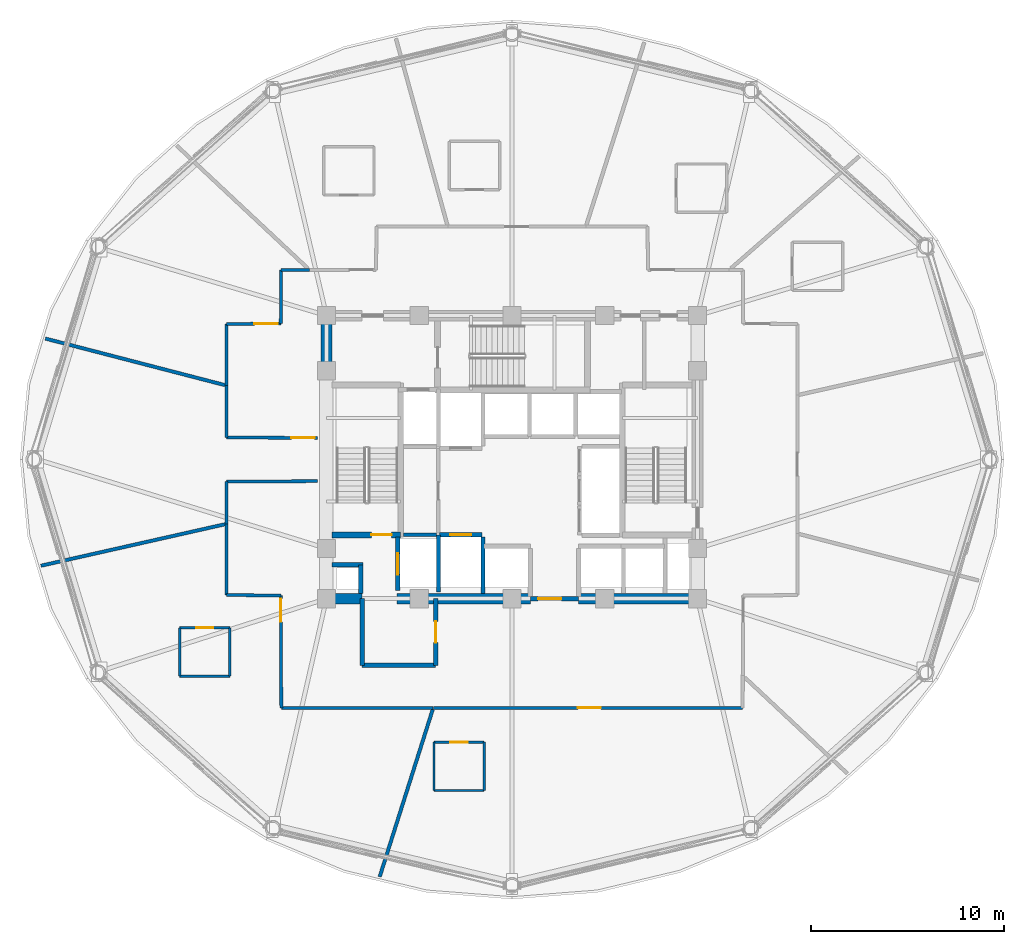
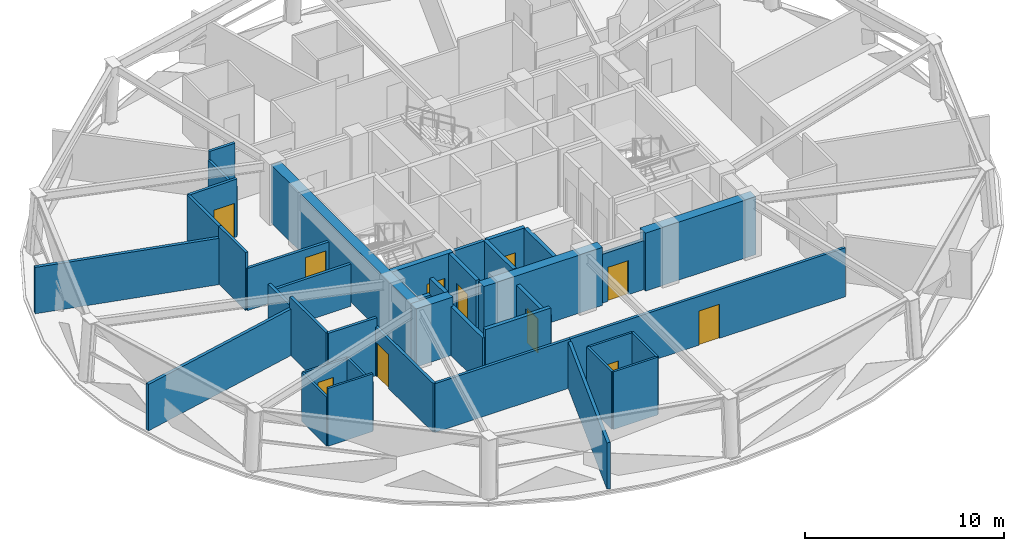
# One storey, part 5 of 12: 40 walls, 11 doors, 11 openings.
"""IFC4 building model written with IfcOpenShell, lengths in metres."""

from ifc_helpers import new_model, si_unit, direction, frame, frame_2d, origin, place, context, subcontext, project, spatial, rectangle, extrude, material, layer, layer_set, type_object, element, fill, save


model = new_model("IFC4")

# Units and contexts
model_context = context("Model", 3, precision=1e-05, world=origin(), true_north=direction((0.0, 1.0)))
body_context = subcontext(model_context, "Body", "Model", "MODEL_VIEW")
ifc_project = project(units=[si_unit("LENGTHUNIT", "METRE"), si_unit("AREAUNIT", "SQUARE_METRE"), si_unit("VOLUMEUNIT", "CUBIC_METRE"), si_unit("PLANEANGLEUNIT", "RADIAN"), si_unit("MASSUNIT", "GRAM", prefix="KILO")], contexts=[model_context])

# Site, building, storey
site_placement = place(None, origin())
site = spatial("IfcSite", under=ifc_project, at=site_placement, CompositionType="ELEMENT")
building_placement = place(site_placement, origin())
building = spatial("IfcBuilding", under=site, at=building_placement, Name="Vantalir Tower", CompositionType="ELEMENT")
storey_placement = place(building_placement, frame((0.0, 0.0, 160.949951171875)))
storey = spatial("IfcBuildingStorey", under=building, at=storey_placement, Name="L40", CompositionType="ELEMENT", Elevation=160.949951171875)

# Wall
ifc_material_1 = material(Name="Moisture-resistant en-suite partition", Category="gypsum")
ifc_layer_1 = layer(ifc_material_1, 0.125)
ifc_layer_set_1 = layer_set([ifc_layer_1], Name="Moisture-resistant en-suite partition")
wall_type_1 = type_object("IfcWallType", Name="WL-BATH-125", PredefinedType="PARTITIONING", material=ifc_layer_set_1)
wall_1_placement = place(storey_placement, frame((14.302001953125, 13.787109375, 0.0), z_axis=(0.0, 0.0, 1.0), x_axis=(1.0, 0.0, 0.0)))
element("IfcWall", 1, at=wall_1_placement, inside=storey, type_object=wall_type_1, Name="L40 En-suite 07 South Wall", PredefinedType="PARTITIONING", context=body_context, shape_type="SweptSolid", body=[
    extrude(rectangle(XDim=2.60009765625, YDim=0.125, at=frame_2d((1.300048828125, 0.0))), origin(), (0.0, 0.0, 1.0), 3.550048828125),
])

# Wall, opening, door
wall_2_placement = place(storey_placement, frame((14.302001953125, 16.287109375, 0.0), z_axis=(0.0, 0.0, 1.0), x_axis=(1.0, 0.0, 0.0)))
wall_2 = element("IfcWall", 2, at=wall_2_placement, inside=storey, type_object=wall_type_1, Name="L40 En-suite 07 North Wall", PredefinedType="PARTITIONING", context=body_context, shape_type="SweptSolid", body=[
    extrude(rectangle(XDim=2.60009765625, YDim=0.125, at=frame_2d((1.300048828125, 0.0))), origin(), (0.0, 0.0, 1.0), 3.006103515625),
])
opening_1_placement = place(wall_2_placement, frame((0.85009765625, 0.0, 0.0)))
opening_1 = element("IfcOpeningElement", 3, at=opening_1_placement, cuts=wall_2, Name="Opening D-WC", PredefinedType="OPENING", context=body_context, shape_type="SweptSolid", body=[
    extrude(rectangle(XDim=0.89990234375, YDim=2.10009765625, at=frame_2d((0.449951171875, 1.050048828125))), frame((0.0, 0.072509765625, 0.0), z_axis=(0.0, -1.0, 0.0), x_axis=(1.0, 0.0, 0.0)), (0.0, 0.0, 1.0), 0.14501953125),
])
ifc_material_2 = material(Name="Moisture-resistant hardwood door", Category="wood")
door_type_1 = type_object("IfcDoorType", Name="DR-ENSUITE-900", OperationType="NOTDEFINED", PredefinedType="DOOR", material=ifc_material_2)
door_1_placement = place(opening_1_placement, frame((0.89990234375, 0.0, 0.0), z_axis=(0.0, 0.0, 1.0), x_axis=(-1.0, 0.0, 0.0)))
door_1 = element("IfcDoor", 4, at=door_1_placement, inside=storey, type_object=door_type_1, Name="L40 En-suite 07 Door", OperationType="SINGLE_SWING_RIGHT", OverallHeight=2.10009765625, OverallWidth=0.89990234375, PredefinedType="DOOR", context=body_context, shape_type="SweptSolid", body=[
    extrude(rectangle(XDim=0.89990234375, YDim=2.10009765625, at=frame_2d((0.449951171875, 1.050048828125))), frame((0.0, 0.02490234375, 0.0), z_axis=(0.0, -1.0, 0.0), x_axis=(1.0, 0.0, 0.0)), (0.0, 0.0, 1.0), 0.050048828125),
])
fill(opening_1, door_1)

# Walls
for number, where, z_axis, x_axis, name in (
    (5, (14.302001953125, 13.787109375, 0.0), (0.0, 0.0, 1.0), (0.0, 1.0, 0.0), "L40 En-suite 07 West Wall"),
    (6, (16.902099609375, 13.787109375, 0.0), (0.0, 0.0, 1.0), (0.0, 1.0, 0.0), "L40 En-suite 07 East Wall"),
):
    element("IfcWall", number, at=place(storey_placement, frame(where, z_axis=z_axis, x_axis=x_axis)), inside=storey, type_object=wall_type_1, Name=name, PredefinedType="PARTITIONING", context=body_context, shape_type="SweptSolid", body=[
        extrude(rectangle(XDim=2.5, YDim=0.125, at=frame_2d((1.25, 0.0))), origin(), (0.0, 0.0, 1.0), 3.006103515625),
    ])
wall_3_placement = place(storey_placement, frame((27.464111328125, 7.873046875, 0.0), z_axis=(0.0, 0.0, 1.0), x_axis=(1.0, 0.0, 0.0)))
element("IfcWall", 7, at=wall_3_placement, inside=storey, type_object=wall_type_1, Name="L40 En-suite 08 South Wall", PredefinedType="PARTITIONING", context=body_context, shape_type="SweptSolid", body=[
    extrude(rectangle(XDim=2.599853515625, YDim=0.125, at=frame_2d((1.2998046875, 0.0))), origin(), (0.0, 0.0, 1.0), 3.550048828125),
])

# Wall, opening, door
wall_4_placement = place(storey_placement, frame((27.464111328125, 10.373046875, 0.0), z_axis=(0.0, 0.0, 1.0), x_axis=(1.0, 0.0, 0.0)))
wall_4 = element("IfcWall", 8, at=wall_4_placement, inside=storey, type_object=wall_type_1, Name="L40 En-suite 08 North Wall", PredefinedType="PARTITIONING", context=body_context, shape_type="SweptSolid", body=[
    extrude(rectangle(XDim=2.599853515625, YDim=0.125, at=frame_2d((1.2998046875, 0.0))), origin(), (0.0, 0.0, 1.0), 3.550048828125),
])
opening_2_placement = place(wall_4_placement, frame((0.85009765625, 0.0, 0.0)))
opening_2 = element("IfcOpeningElement", 9, at=opening_2_placement, cuts=wall_4, Name="Opening D-WC", PredefinedType="OPENING", context=body_context, shape_type="SweptSolid", body=[
    extrude(rectangle(XDim=0.89990234375, YDim=2.10009765625, at=frame_2d((0.449951171875, 1.050048828125))), frame((0.0, 0.072509765625, 0.0), z_axis=(0.0, -1.0, 0.0), x_axis=(1.0, 0.0, 0.0)), (0.0, 0.0, 1.0), 0.14501953125),
])
door_2_placement = place(opening_2_placement, frame((0.89990234375, 0.0, 0.0), z_axis=(0.0, 0.0, 1.0), x_axis=(-1.0, 0.0, 0.0)))
door_2 = element("IfcDoor", 10, at=door_2_placement, inside=storey, type_object=door_type_1, Name="L40 En-suite 08 Door", OperationType="SINGLE_SWING_LEFT", OverallHeight=2.10009765625, OverallWidth=0.89990234375, PredefinedType="DOOR", context=body_context, shape_type="SweptSolid", body=[
    extrude(rectangle(XDim=0.89990234375, YDim=2.10009765625, at=frame_2d((0.449951171875, 1.050048828125))), frame((0.0, 0.02490234375, 0.0), z_axis=(0.0, -1.0, 0.0), x_axis=(1.0, 0.0, 0.0)), (0.0, 0.0, 1.0), 0.050048828125),
])
fill(opening_2, door_2)

# Walls
for number, where, z_axis, x_axis, name in (
    (11, (27.464111328125, 7.873046875, 0.0), (0.0, 0.0, 1.0), (0.0, 1.0, 0.0), "L40 En-suite 08 West Wall"),
    (12, (30.06396484375, 7.873046875, 0.0), (0.0, 0.0, 1.0), (0.0, 1.0, 0.0), "L40 En-suite 08 East Wall"),
):
    element("IfcWall", number, at=place(storey_placement, frame(where, z_axis=z_axis, x_axis=x_axis)), inside=storey, type_object=wall_type_1, Name=name, PredefinedType="PARTITIONING", context=body_context, shape_type="SweptSolid", body=[
        extrude(rectangle(XDim=2.5, YDim=0.125, at=frame_2d((1.25, 0.0))), origin(), (0.0, 0.0, 1.0), 3.550048828125),
    ])
ifc_material_3 = material(Name="Concrete C60/75", Category="concrete")
ifc_layer_2 = layer(ifc_material_3, 0.550048828125)
ifc_layer_set_2 = layer_set([ifc_layer_2], Name="Concrete C60/75")
wall_type_2 = type_object("IfcWallType", Name="WL-CORE-550", PredefinedType="SHEAR", material=ifc_layer_set_2)
wall_5_placement = place(storey_placement, frame((21.625, 17.800048828125, 0.0), z_axis=(0.0, 0.0, 1.0), x_axis=(1.0, 0.0, 0.0)))
element("IfcWall", 13, at=wall_5_placement, inside=storey, type_object=wall_type_2, Name="L40 Core Shear Wall South-West", PredefinedType="SHEAR", context=body_context, shape_type="SweptSolid", body=[
    extrude(rectangle(XDim=2.125, YDim=0.550048828125, at=frame_2d((1.0625, 0.0))), origin(), (0.0, 0.0, 1.0), 3.570068359375),
])
wall_6_placement = place(storey_placement, frame((25.550048828125, 17.800048828125, 0.0), z_axis=(0.0, 0.0, 1.0), x_axis=(1.0, 0.0, 0.0)))
element("IfcWall", 14, at=wall_6_placement, inside=storey, type_object=wall_type_2, Name="L40 Core Shear Wall South-Mid", PredefinedType="SHEAR", context=body_context, shape_type="SweptSolid", body=[
    extrude(rectangle(XDim=6.89990234375, YDim=0.550048828125, at=frame_2d((3.449951171875, 0.0))), origin(), (0.0, 0.0, 1.0), 3.570068359375),
])
wall_7_placement = place(storey_placement, frame((34.949951171875, 17.800048828125, 0.0), z_axis=(0.0, 0.0, 1.0), x_axis=(1.0, 0.0, 0.0)))
element("IfcWall", 15, at=wall_7_placement, inside=storey, type_object=wall_type_2, Name="L40 Core Shear Wall South-East", PredefinedType="SHEAR", context=body_context, shape_type="SweptSolid", body=[
    extrude(rectangle(XDim=6.425048828125, YDim=0.550048828125, at=frame_2d((3.21240234375, 0.0))), origin(), (0.0, 0.0, 1.0), 3.570068359375),
])
wall_8_placement = place(storey_placement, frame((21.89990234375, 18.074951171875, 0.0), z_axis=(0.0, 0.0, 1.0), x_axis=(0.0, 1.0, 0.0)))
element("IfcWall", 16, at=wall_8_placement, inside=storey, type_object=wall_type_2, Name="L40 Core Shear Wall West", PredefinedType="SHEAR", context=body_context, shape_type="SweptSolid", body=[
    extrude(rectangle(XDim=14.10009765625, YDim=0.550048828125, at=frame_2d((7.050048828125, 0.0))), origin(), (0.0, 0.0, 1.0), 3.570068359375),
])

# Wall, opening, door
ifc_material_4 = material(Name="Fire-rated hotel corridor acoustic partition", Category="gypsum")
ifc_layer_3 = layer(ifc_material_4, 0.159912109375)
ifc_layer_set_3 = layer_set([ifc_layer_3], Name="Fire-rated hotel corridor acoustic partition")
wall_type_3 = type_object("IfcWallType", Name="WL-CORR-160", PredefinedType="PARTITIONING", material=ifc_layer_set_3)
wall_9_placement = place(storey_placement, frame((21.445068359375, 26.115966796875, 0.0), z_axis=(0.0, 0.0, 1.0), x_axis=(-0.999984646479, 0.005541372271, 0.0)))
wall_9 = element("IfcWall", 17, at=wall_9_placement, inside=storey, type_object=wall_type_3, Name="L40 Corridor Partition 01", PredefinedType="PARTITIONING", context=body_context, shape_type="SweptSolid", body=[
    extrude(rectangle(XDim=4.714111328125, YDim=0.159912109375, at=frame_2d((2.35693359375, 0.0))), origin(), (0.0, 0.0, 1.0), 2.594970703125),
])
opening_3_placement = place(wall_9_placement, frame((0.159912109375, 0.0, 0.0)))
opening_3 = element("IfcOpeningElement", 18, at=opening_3_placement, cuts=wall_9, Name="Opening D-STE", PredefinedType="OPENING", context=body_context, shape_type="SweptSolid", body=[
    extrude(rectangle(XDim=1.199951171875, YDim=2.10009765625, at=frame_2d((0.60009765625, 1.050048828125))), frame((0.0, 0.08984375, 0.0), z_axis=(0.0, -1.0, 0.0), x_axis=(1.0, 0.0, 0.0)), (0.0, 0.0, 1.0), 0.179931640625),
])
ifc_material_5 = material(Name="Solid-core teak veneer suite entrance door", Category="wood")
door_type_2 = type_object("IfcDoorType", Name="DR-SUITE-ENTRY-1200", OperationType="NOTDEFINED", PredefinedType="DOOR", material=ifc_material_5)
door_3_placement = place(opening_3_placement, origin())
door_3 = element("IfcDoor", 19, at=door_3_placement, inside=storey, type_object=door_type_2, Name="L40 Executive Sky Boardroom 06 Door", OperationType="SINGLE_SWING_LEFT", OverallHeight=2.10009765625, OverallWidth=1.199951171875, PredefinedType="DOOR", context=body_context, shape_type="SweptSolid", body=[
    extrude(rectangle(XDim=1.199951171875, YDim=2.10009765625, at=frame_2d((0.60009765625, 1.050048828125))), frame((0.0, 0.02490234375, 0.0), z_axis=(0.0, -1.0, 0.0), x_axis=(1.0, 0.0, 0.0)), (0.0, 0.0, 1.0), 0.050048828125),
])
fill(opening_3, door_3)

# Walls
wall_10_placement = place(storey_placement, frame((16.73095703125, 26.14208984375, 0.0), z_axis=(0.0, 0.0, 1.0), x_axis=(0.0, 1.0, 0.0)))
element("IfcWall", 20, at=wall_10_placement, inside=storey, type_object=wall_type_3, Name="L40 Corridor Partition 02", PredefinedType="PARTITIONING", context=body_context, shape_type="SweptSolid", body=[
    extrude(rectangle(XDim=2.68798828125, YDim=0.159912109375, at=frame_2d((1.343994140625, 0.0))), origin(), (0.0, 0.0, 1.0), 3.550048828125),
])
wall_11_placement = place(storey_placement, frame((16.73095703125, 28.830078125, 0.0), z_axis=(0.0, 0.0, 1.0), x_axis=(0.000306913206, 0.999999952902, 0.0)))
element("IfcWall", 21, at=wall_11_placement, inside=storey, type_object=wall_type_3, Name="L40 Corridor Partition 03", PredefinedType="PARTITIONING", context=body_context, shape_type="SweptSolid", body=[
    extrude(rectangle(XDim=3.181884765625, YDim=0.159912109375, at=frame_2d((1.5908203125, 0.0))), origin(), (0.0, 0.0, 1.0), 3.550048828125),
])

# Wall, opening, door
wall_12_placement = place(storey_placement, frame((16.73193359375, 32.011962890625, 0.0), z_axis=(0.0, 0.0, 1.0), x_axis=(0.999949838147, 0.010016046632, 0.0)))
wall_12 = element("IfcWall", 22, at=wall_12_placement, inside=storey, type_object=wall_type_3, Name="L40 Corridor Partition 04", PredefinedType="PARTITIONING", context=body_context, shape_type="SweptSolid", body=[
    extrude(rectangle(XDim=2.80322265625, YDim=0.159912109375, at=frame_2d((1.401611328125, 0.0))), origin(), (0.0, 0.0, 1.0), 3.550048828125),
])
opening_4_placement = place(wall_12_placement, frame((1.443115234375, 0.0, 0.0)))
opening_4 = element("IfcOpeningElement", 23, at=opening_4_placement, cuts=wall_12, Name="Opening D-STE", PredefinedType="OPENING", context=body_context, shape_type="SweptSolid", body=[
    extrude(rectangle(XDim=1.199951171875, YDim=2.10009765625, at=frame_2d((0.60009765625, 1.050048828125))), frame((0.0, 0.08984375, 0.0), z_axis=(0.0, -1.0, 0.0), x_axis=(1.0, 0.0, 0.0)), (0.0, 0.0, 1.0), 0.179931640625),
])
door_4_placement = place(opening_4_placement, origin())
door_4 = element("IfcDoor", 24, at=door_4_placement, inside=storey, type_object=door_type_2, Name="L40 Executive Sky Boardroom 05 Door", OperationType="SINGLE_SWING_RIGHT", OverallHeight=2.10009765625, OverallWidth=1.199951171875, PredefinedType="DOOR", context=body_context, shape_type="SweptSolid", body=[
    extrude(rectangle(XDim=1.199951171875, YDim=2.10009765625, at=frame_2d((0.60009765625, 1.050048828125))), frame((0.0, 0.02490234375, 0.0), z_axis=(0.0, -1.0, 0.0), x_axis=(1.0, 0.0, 0.0)), (0.0, 0.0, 1.0), 0.050048828125),
])
fill(opening_4, door_4)

# Walls
wall_13_placement = place(storey_placement, frame((19.534912109375, 32.0400390625, 0.0), z_axis=(0.0, 0.0, 1.0), x_axis=(0.006526585281, 0.999978701615, 0.0)))
element("IfcWall", 25, at=wall_13_placement, inside=storey, type_object=wall_type_3, Name="L40 Corridor Partition 05", PredefinedType="PARTITIONING", context=body_context, shape_type="SweptSolid", body=[
    extrude(rectangle(XDim=2.76806640625, YDim=0.159912109375, at=frame_2d((1.384033203125, 0.0))), origin(), (0.0, 0.0, 1.0), 3.006103515625),
])
wall_14_placement = place(storey_placement, frame((19.552978515625, 34.80810546875, 0.0), z_axis=(0.0, 0.0, 1.0), x_axis=(0.999999117302, 0.00132868177, 0.0)))
element("IfcWall", 26, at=wall_14_placement, inside=storey, type_object=wall_type_3, Name="L40 Corridor Partition 06", PredefinedType="PARTITIONING", context=body_context, shape_type="SweptSolid", body=[
    extrude(rectangle(XDim=1.469970703125, YDim=0.159912109375, at=frame_2d((0.73486328125, 0.0))), origin(), (0.0, 0.0, 1.0), 3.550048828125),
])

# Wall, opening, door
wall_15_placement = place(storey_placement, frame((43.43310546875, 12.15087890625, 0.0), z_axis=(0.0, 0.0, 1.0), x_axis=(-1.0, 0.0, 0.0)))
wall_15 = element("IfcWall", 27, at=wall_15_placement, inside=storey, type_object=wall_type_3, Name="L40 Corridor Partition 23", PredefinedType="PARTITIONING", context=body_context, shape_type="SweptSolid", body=[
    extrude(rectangle(XDim=16.008056640625, YDim=0.159912109375, at=frame_2d((8.00390625, 0.0))), origin(), (0.0, 0.0, 1.0), 3.006103515625),
])
opening_5_placement = place(wall_15_placement, frame((7.3291015625, 0.0, 0.0)))
opening_5 = element("IfcOpeningElement", 28, at=opening_5_placement, cuts=wall_15, Name="Opening D-STE", PredefinedType="OPENING", context=body_context, shape_type="SweptSolid", body=[
    extrude(rectangle(XDim=1.199951171875, YDim=2.10009765625, at=frame_2d((0.60009765625, 1.050048828125))), frame((0.0, 0.08984375, 0.0), z_axis=(0.0, -1.0, 0.0), x_axis=(1.0, 0.0, 0.0)), (0.0, 0.0, 1.0), 0.179931640625),
])
door_5_placement = place(opening_5_placement, origin())
door_5 = element("IfcDoor", 29, at=door_5_placement, inside=storey, type_object=door_type_2, Name="L40 Corner Panorama Hotel Suite 08 Door", OperationType="SINGLE_SWING_LEFT", OverallHeight=2.10009765625, OverallWidth=1.199951171875, PredefinedType="DOOR", context=body_context, shape_type="SweptSolid", body=[
    extrude(rectangle(XDim=1.199951171875, YDim=2.10009765625, at=frame_2d((0.60009765625, 1.050048828125))), frame((0.0, 0.02490234375, 0.0), z_axis=(0.0, -1.0, 0.0), x_axis=(1.0, 0.0, 0.0)), (0.0, 0.0, 1.0), 0.050048828125),
])
fill(opening_5, door_5)

# Wall
wall_16_placement = place(storey_placement, frame((27.425048828125, 12.15087890625, 0.0), z_axis=(0.0, 0.0, 1.0), x_axis=(-0.999999987946, 0.000155265036, 0.0)))
element("IfcWall", 30, at=wall_16_placement, inside=storey, type_object=wall_type_3, Name="L40 Corridor Partition 24", PredefinedType="PARTITIONING", context=body_context, shape_type="SweptSolid", body=[
    extrude(rectangle(XDim=7.862060546875, YDim=0.159912109375, at=frame_2d((3.93115234375, 0.0))), origin(), (0.0, 0.0, 1.0), 3.006103515625),
])

# Wall, opening, door
wall_17_placement = place(storey_placement, frame((19.56298828125, 12.152099609375, 0.0), z_axis=(0.0, 0.0, 1.0), x_axis=(-0.004834110568, 0.999988315619, 0.0)))
wall_17 = element("IfcWall", 31, at=wall_17_placement, inside=storey, type_object=wall_type_3, Name="L40 Corridor Partition 25", PredefinedType="PARTITIONING", context=body_context, shape_type="SweptSolid", body=[
    extrude(rectangle(XDim=5.807861328125, YDim=0.159912109375, at=frame_2d((2.90380859375, 0.0))), origin(), (0.0, 0.0, 1.0), 3.006103515625),
])
opening_6_placement = place(wall_17_placement, frame((4.447998046875, 0.0, 0.0)))
opening_6 = element("IfcOpeningElement", 32, at=opening_6_placement, cuts=wall_17, Name="Opening D-STE", PredefinedType="OPENING", context=body_context, shape_type="SweptSolid", body=[
    extrude(rectangle(XDim=1.199951171875, YDim=2.10009765625, at=frame_2d((0.60009765625, 1.050048828125))), frame((0.0, 0.08984375, 0.0), z_axis=(0.0, -1.0, 0.0), x_axis=(1.0, 0.0, 0.0)), (0.0, 0.0, 1.0), 0.179931640625),
])
door_6_placement = place(opening_6_placement, origin())
door_6 = element("IfcDoor", 33, at=door_6_placement, inside=storey, type_object=door_type_2, Name="L40 Executive Club Hotel Suite 07 Door", OperationType="SINGLE_SWING_RIGHT", OverallHeight=2.10009765625, OverallWidth=1.199951171875, PredefinedType="DOOR", context=body_context, shape_type="SweptSolid", body=[
    extrude(rectangle(XDim=1.199951171875, YDim=2.10009765625, at=frame_2d((0.60009765625, 1.050048828125))), frame((0.0, 0.02490234375, 0.0), z_axis=(0.0, -1.0, 0.0), x_axis=(1.0, 0.0, 0.0)), (0.0, 0.0, 1.0), 0.050048828125),
])
fill(opening_6, door_6)

# Walls
wall_18_placement = place(storey_placement, frame((19.534912109375, 17.9599609375, 0.0), z_axis=(0.0, 0.0, 1.0), x_axis=(-0.999934955853, 0.011405440071, 0.0)))
element("IfcWall", 34, at=wall_18_placement, inside=storey, type_object=wall_type_3, Name="L40 Corridor Partition 26", PredefinedType="PARTITIONING", context=body_context, shape_type="SweptSolid", body=[
    extrude(rectangle(XDim=2.80419921875, YDim=0.159912109375, at=frame_2d((1.402099609375, 0.0))), origin(), (0.0, 0.0, 1.0), 3.550048828125),
])
wall_19_placement = place(storey_placement, frame((16.73095703125, 17.991943359375, 0.0), z_axis=(0.0, 0.0, 1.0), x_axis=(-0.000265516088, 0.999999964751, 0.0)))
element("IfcWall", 35, at=wall_19_placement, inside=storey, type_object=wall_type_3, Name="L40 Corridor Partition 27", PredefinedType="PARTITIONING", context=body_context, shape_type="SweptSolid", body=[
    extrude(rectangle(XDim=3.677978515625, YDim=0.159912109375, at=frame_2d((1.8388671875, 0.0))), origin(), (0.0, 0.0, 1.0), 3.550048828125),
])
wall_20_placement = place(storey_placement, frame((16.72998046875, 21.669921875, 0.0), z_axis=(0.0, 0.0, 1.0), x_axis=(0.0, 1.0, 0.0)))
element("IfcWall", 36, at=wall_20_placement, inside=storey, type_object=wall_type_3, Name="L40 Corridor Partition 28", PredefinedType="PARTITIONING", context=body_context, shape_type="SweptSolid", body=[
    extrude(rectangle(XDim=2.18408203125, YDim=0.159912109375, at=frame_2d((1.092041015625, 0.0))), origin(), (0.0, 0.0, 1.0), 3.006103515625),
])
wall_21_placement = place(storey_placement, frame((16.72998046875, 23.85400390625, 0.0), z_axis=(0.0, 0.0, 1.0), x_axis=(0.999981017558, 0.00616153581, 0.0)))
element("IfcWall", 37, at=wall_21_placement, inside=storey, type_object=wall_type_3, Name="L40 Corridor Partition 29", PredefinedType="PARTITIONING", context=body_context, shape_type="SweptSolid", body=[
    extrude(rectangle(XDim=4.715087890625, YDim=0.159912109375, at=frame_2d((2.357421875, 0.0))), origin(), (0.0, 0.0, 1.0), 2.594970703125),
])
ifc_material_6 = material(Name="Concrete blockwork with fireboard lining", Category="masonry")
ifc_layer_4 = layer(ifc_material_6, 0.219970703125)
ifc_layer_set_4 = layer_set([ifc_layer_4], Name="Concrete blockwork with fireboard lining")
wall_type_4 = type_object("IfcWallType", Name="WL-FFL-220", PredefinedType="PARTITIONING", material=ifc_layer_set_4)
wall_22_placement = place(storey_placement, frame((30.0, 18.080078125, 0.0), z_axis=(0.0, 0.0, 1.0), x_axis=(0.0, 1.0, 0.0)))
element("IfcWall", 38, at=wall_22_placement, inside=storey, type_object=wall_type_4, Name="L40 Service Lift SV1 East Shaft Wall", PredefinedType="PARTITIONING", context=body_context, shape_type="SweptSolid", body=[
    extrude(rectangle(XDim=2.89990234375, YDim=0.219970703125, at=frame_2d((1.449951171875, 0.0))), origin(), (0.0, 0.0, 1.0), 3.545166015625),
])

# Wall, opening, door
wall_23_placement = place(storey_placement, frame((32.449951171875, 17.800048828125, 0.0), z_axis=(0.0, 0.0, 1.0), x_axis=(1.0, 0.0, 0.0)))
wall_23 = element("IfcWall", 39, at=wall_23_placement, inside=storey, type_object=wall_type_4, Name="L40 Passenger Lift Lobby South Wall", PredefinedType="PARTITIONING", context=body_context, shape_type="SweptSolid", body=[
    extrude(rectangle(XDim=2.5, YDim=0.219970703125, at=frame_2d((1.25, 0.0))), origin(), (0.0, 0.0, 1.0), 3.006103515625),
])
opening_7_placement = place(wall_23_placement, frame((0.39990234375, 0.0, 0.0)))
opening_7 = element("IfcOpeningElement", 40, at=opening_7_placement, cuts=wall_23, Name="Opening D-STE", PredefinedType="OPENING", context=body_context, shape_type="SweptSolid", body=[
    extrude(rectangle(XDim=1.199951171875, YDim=2.10009765625, at=frame_2d((0.60009765625, 1.050048828125))), frame((0.0, 0.119873046875, 0.0), z_axis=(0.0, -1.0, 0.0), x_axis=(1.0, 0.0, 0.0)), (0.0, 0.0, 1.0), 0.239990234375),
])
door_7_placement = place(opening_7_placement, origin())
door_7 = element("IfcDoor", 41, at=door_7_placement, inside=storey, type_object=door_type_2, Name="L40 Passenger Lift Lobby Concourse Door", OperationType="SINGLE_SWING_LEFT", OverallHeight=2.10009765625, OverallWidth=1.199951171875, PredefinedType="DOOR", context=body_context, shape_type="SweptSolid", body=[
    extrude(rectangle(XDim=1.199951171875, YDim=2.10009765625, at=frame_2d((0.60009765625, 1.050048828125))), frame((0.0, 0.02490234375, 0.0), z_axis=(0.0, -1.0, 0.0), x_axis=(1.0, 0.0, 0.0)), (0.0, 0.0, 1.0), 0.050048828125),
])
fill(opening_7, door_7)

# Walls
wall_24_placement = place(storey_placement, frame((23.679931640625, 18.074951171875, 0.0), z_axis=(0.0, 0.0, 1.0), x_axis=(0.0, 1.0, 0.0)))
element("IfcWall", 42, at=wall_24_placement, inside=storey, type_object=wall_type_4, Name="L40 West MEP Riser Wall E", PredefinedType="PARTITIONING", context=body_context, shape_type="SweptSolid", body=[
    extrude(rectangle(XDim=1.47509765625, YDim=0.219970703125, at=frame_2d((0.737548828125, 0.0))), origin(), (0.0, 0.0, 1.0), 3.550048828125),
])
wall_25_placement = place(storey_placement, frame((22.175048828125, 19.550048828125, 0.0), z_axis=(0.0, 0.0, 1.0), x_axis=(1.0, 0.0, 0.0)))
element("IfcWall", 43, at=wall_25_placement, inside=storey, type_object=wall_type_4, Name="L40 West MEP Riser Wall N", PredefinedType="PARTITIONING", context=body_context, shape_type="SweptSolid", body=[
    extrude(rectangle(XDim=1.614990234375, YDim=0.219970703125, at=frame_2d((0.8076171875, 0.0))), origin(), (0.0, 0.0, 1.0), 2.594970703125),
])

# Wall, opening, door
wall_26_placement = place(storey_placement, frame((25.590087890625, 18.219970703125, 0.0), z_axis=(0.0, 0.0, 1.0), x_axis=(0.0, 1.0, 0.0)))
wall_26 = element("IfcWall", 44, at=wall_26_placement, inside=storey, type_object=wall_type_4, Name="L40 Lift FL1 Shaft Front Wall", PredefinedType="PARTITIONING", context=body_context, shape_type="SweptSolid", body=[
    extrude(rectangle(XDim=2.760009765625, YDim=0.219970703125, at=frame_2d((1.3798828125, 0.0))), origin(), (0.0, 0.0, 1.0), 3.550048828125),
])
opening_8_placement = place(wall_26_placement, frame((0.830078125, 0.0, 0.0)))
opening_8 = element("IfcOpeningElement", 45, at=opening_8_placement, cuts=wall_26, Name="Opening LD-FL1", PredefinedType="OPENING", context=body_context, shape_type="SweptSolid", body=[
    extrude(rectangle(XDim=1.10009765625, YDim=2.199951171875, at=frame_2d((0.550048828125, 1.10009765625))), frame((0.0, 0.119873046875, 0.0), z_axis=(0.0, -1.0, 0.0), x_axis=(1.0, 0.0, 0.0)), (0.0, 0.0, 1.0), 0.239990234375),
])
ifc_material_7 = material(Name="Brushed stainless-steel sliding lift landing door", Category="steel")
door_type_3 = type_object("IfcDoorType", Name="DR-LIFT-LANDING-1100", OperationType="DOUBLE_DOOR_SLIDING", PredefinedType="DOOR", material=ifc_material_7)
door_8_placement = place(opening_8_placement, origin())
door_8 = element("IfcDoor", 46, at=door_8_placement, inside=storey, type_object=door_type_3, Name="L40 Lift Landing Door FL1", OperationType="DOUBLE_DOOR_SLIDING", OverallHeight=2.199951171875, OverallWidth=1.10009765625, PredefinedType="DOOR", context=body_context, shape_type="SweptSolid", body=[
    extrude(rectangle(XDim=1.10009765625, YDim=2.199951171875, at=frame_2d((0.550048828125, 1.10009765625))), frame((0.0, 0.02490234375, 0.0), z_axis=(0.0, -1.0, 0.0), x_axis=(1.0, 0.0, 0.0)), (0.0, 0.0, 1.0), 0.050048828125),
])
fill(opening_8, door_8)

wall_27_placement = place(storey_placement, frame((27.739990234375, 21.110107421875, 0.0), z_axis=(0.0, 0.0, 1.0), x_axis=(1.0, 0.0, 0.0)))
wall_27 = element("IfcWall", 47, at=wall_27_placement, inside=storey, type_object=wall_type_4, Name="L40 Lift SV1 Shaft Front Wall", PredefinedType="PARTITIONING", context=body_context, shape_type="SweptSolid", body=[
    extrude(rectangle(XDim=2.219970703125, YDim=0.219970703125, at=frame_2d((1.10986328125, 0.0))), origin(), (0.0, 0.0, 1.0), 3.550048828125),
])
opening_9_placement = place(wall_27_placement, frame((0.56005859375, 0.0, 0.0)))
opening_9 = element("IfcOpeningElement", 48, at=opening_9_placement, cuts=wall_27, Name="Opening LD-SV1", PredefinedType="OPENING", context=body_context, shape_type="SweptSolid", body=[
    extrude(rectangle(XDim=1.10009765625, YDim=2.199951171875, at=frame_2d((0.550048828125, 1.10009765625))), frame((0.0, 0.119873046875, 0.0), z_axis=(0.0, -1.0, 0.0), x_axis=(1.0, 0.0, 0.0)), (0.0, 0.0, 1.0), 0.239990234375),
])
door_9_placement = place(opening_9_placement, origin())
door_9 = element("IfcDoor", 49, at=door_9_placement, inside=storey, type_object=door_type_3, Name="L40 Lift Landing Door SV1", OperationType="DOUBLE_DOOR_SLIDING", OverallHeight=2.199951171875, OverallWidth=1.10009765625, PredefinedType="DOOR", context=body_context, shape_type="SweptSolid", body=[
    extrude(rectangle(XDim=1.10009765625, YDim=2.199951171875, at=frame_2d((0.550048828125, 1.10009765625))), frame((0.0, 0.02490234375, 0.0), z_axis=(0.0, -1.0, 0.0), x_axis=(1.0, 0.0, 0.0)), (0.0, 0.0, 1.0), 0.050048828125),
])
fill(opening_9, door_9)

# Walls
wall_28_placement = place(storey_placement, frame((27.699951171875, 18.14990234375, 0.0), z_axis=(0.0, 0.0, 1.0), x_axis=(0.0, 1.0, 0.0)))
element("IfcWall", 50, at=wall_28_placement, inside=storey, type_object=wall_type_4, Name="L40 Fire Lift FL1 Dividing Wall", PredefinedType="PARTITIONING", context=body_context, shape_type="SweptSolid", body=[
    extrude(rectangle(XDim=2.9501953125, YDim=0.219970703125, at=frame_2d((1.47509765625, 0.0))), origin(), (0.0, 0.0, 1.0), 3.550048828125),
])
wall_29_placement = place(storey_placement, frame((23.75, 14.35009765625, 0.0), z_axis=(0.0, 0.0, 1.0), x_axis=(0.0, 1.0, 0.0)))
element("IfcWall", 51, at=wall_29_placement, inside=storey, type_object=wall_type_4, Name="L40 Firefighting Lobby West Outer W", PredefinedType="PARTITIONING", context=body_context, shape_type="SweptSolid", body=[
    extrude(rectangle(XDim=3.449951171875, YDim=0.219970703125, at=frame_2d((1.72509765625, 0.0))), origin(), (0.0, 0.0, 1.0), 3.006103515625),
])
wall_30_placement = place(storey_placement, frame((23.75, 14.35009765625, 0.0), z_axis=(0.0, 0.0, 1.0), x_axis=(1.0, 0.0, 0.0)))
element("IfcWall", 52, at=wall_30_placement, inside=storey, type_object=wall_type_4, Name="L40 Firefighting Lobby West South Wall", PredefinedType="PARTITIONING", context=body_context, shape_type="SweptSolid", body=[
    extrude(rectangle(XDim=3.800048828125, YDim=0.219970703125, at=frame_2d((1.89990234375, 0.0))), origin(), (0.0, 0.0, 1.0), 3.550048828125),
])

# Wall, opening, door
wall_31_placement = place(storey_placement, frame((27.550048828125, 14.35009765625, 0.0), z_axis=(0.0, 0.0, 1.0), x_axis=(0.0, 1.0, 0.0)))
wall_31 = element("IfcWall", 53, at=wall_31_placement, inside=storey, type_object=wall_type_4, Name="L40 Firefighting Lobby West East Wall", PredefinedType="PARTITIONING", context=body_context, shape_type="SweptSolid", body=[
    extrude(rectangle(XDim=3.449951171875, YDim=0.219970703125, at=frame_2d((1.72509765625, 0.0))), origin(), (0.0, 0.0, 1.0), 3.006103515625),
])
opening_10_placement = place(wall_31_placement, frame((1.175048828125, 0.0, 0.0)))
opening_10 = element("IfcOpeningElement", 54, at=opening_10_placement, cuts=wall_31, Name="Opening D-FFL", PredefinedType="OPENING", context=body_context, shape_type="SweptSolid", body=[
    extrude(rectangle(XDim=1.10009765625, YDim=2.10009765625, at=frame_2d((0.550048828125, 1.050048828125))), frame((0.0, 0.119873046875, 0.0), z_axis=(0.0, -1.0, 0.0), x_axis=(1.0, 0.0, 0.0)), (0.0, 0.0, 1.0), 0.239990234375),
])
ifc_material_8 = material(Name="Fire-rated acoustic steel door", Category="steel")
door_type_4 = type_object("IfcDoorType", Name="DR-FIRE-LOBBY-1100", OperationType="NOTDEFINED", PredefinedType="DOOR", material=ifc_material_8)
door_10_placement = place(opening_10_placement, origin())
door_10 = element("IfcDoor", 55, at=door_10_placement, inside=storey, type_object=door_type_4, Name="L40 Firefighting Lobby West Access Door", OperationType="SINGLE_SWING_LEFT", OverallHeight=2.10009765625, OverallWidth=1.10009765625, PredefinedType="DOOR", context=body_context, shape_type="SweptSolid", body=[
    extrude(rectangle(XDim=1.10009765625, YDim=2.10009765625, at=frame_2d((0.550048828125, 1.050048828125))), frame((0.0, 0.02490234375, 0.0), z_axis=(0.0, -1.0, 0.0), x_axis=(1.0, 0.0, 0.0)), (0.0, 0.0, 1.0), 0.050048828125),
])
fill(opening_10, door_10)

# Walls
ifc_material_9 = material(Name="Twin-stud acoustic fire-rated gypsum partition", Category="gypsum")
ifc_layer_5 = layer(ifc_material_9, 0.179931640625)
ifc_layer_set_5 = layer_set([ifc_layer_5], Name="Twin-stud acoustic fire-rated gypsum partition")
wall_type_5 = type_object("IfcWallType", Name="WL-GUEST-180", PredefinedType="PARTITIONING", material=ifc_layer_set_5)
wall_32_placement = place(storey_placement, frame((25.889892578125, 21.10009765625, 0.0), z_axis=(0.0, 0.0, 1.0), x_axis=(1.0, 0.0, 0.0)))
element("IfcWall", 56, at=wall_32_placement, inside=storey, type_object=wall_type_5, Name="L40 Freed West Core South Wall", PredefinedType="PARTITIONING", context=body_context, shape_type="SweptSolid", body=[
    extrude(rectangle(XDim=1.7001953125, YDim=0.179931640625, at=frame_2d((0.85009765625, 0.0))), origin(), (0.0, 0.0, 1.0), 3.550048828125),
])
wall_33_placement = place(storey_placement, frame((16.655029296875, 28.84912109375, 0.0), z_axis=(0.0, 0.0, 1.0), x_axis=(-0.967996440842, 0.250963922742, 0.0)))
element("IfcWall", 57, at=wall_33_placement, inside=storey, type_object=wall_type_5, Name="L40 Radial Suite Partition 06", PredefinedType="PARTITIONING", context=body_context, shape_type="SweptSolid", body=[
    extrude(rectangle(XDim=9.6064453125, YDim=0.179931640625, at=frame_2d((4.80322265625, 0.0))), origin(), (0.0, 0.0, 1.0), 2.85205078125),
])
wall_34_placement = place(storey_placement, frame((16.655029296875, 21.653076171875, 0.0), z_axis=(0.0, 0.0, 1.0), x_axis=(-0.975513709094, -0.219938635466, 0.0)))
element("IfcWall", 58, at=wall_34_placement, inside=storey, type_object=wall_type_5, Name="L40 Radial Suite Partition 07", PredefinedType="PARTITIONING", context=body_context, shape_type="SweptSolid", body=[
    extrude(rectangle(XDim=9.767333984375, YDim=0.179931640625, at=frame_2d((4.8837890625, 0.0))), origin(), (0.0, 0.0, 1.0), 2.85205078125),
])
wall_35_placement = place(storey_placement, frame((27.40087890625, 12.074951171875, 0.0), z_axis=(0.0, 0.0, 1.0), x_axis=(-0.302281968235, -0.953218553995, 0.0)))
element("IfcWall", 59, at=wall_35_placement, inside=storey, type_object=wall_type_5, Name="L40 Radial Suite Partition 08", PredefinedType="PARTITIONING", context=body_context, shape_type="SweptSolid", body=[
    extrude(rectangle(XDim=9.0869140625, YDim=0.179931640625, at=frame_2d((4.54345703125, 0.0))), origin(), (0.0, 0.0, 1.0), 2.85205078125),
])

# Wall, opening, door
ifc_material_10 = material(Name="Concrete C50/60", Category="concrete")
ifc_layer_6 = layer(ifc_material_10, 0.300048828125)
ifc_layer_set_6 = layer_set([ifc_layer_6], Name="Concrete C50/60")
wall_type_6 = type_object("IfcWallType", Name="WL-STAIR-300", PredefinedType="SHEAR", material=ifc_layer_set_6)
wall_36_placement = place(storey_placement, frame((22.175048828125, 21.10009765625, 0.0), z_axis=(0.0, 0.0, 1.0), x_axis=(1.0, 0.0, 0.0)))
wall_36 = element("IfcWall", 60, at=wall_36_placement, inside=storey, type_object=wall_type_6, Name="L40 Stair ST1 South Wall", PredefinedType="SHEAR", context=body_context, shape_type="SweptSolid", body=[
    extrude(rectangle(XDim=3.56494140625, YDim=0.300048828125, at=frame_2d((1.782470703125, 0.0))), origin(), (0.0, 0.0, 1.0), 3.570068359375),
])
opening_11_placement = place(wall_36_placement, frame((2.044921875, 0.0, 0.0)))
opening_11 = element("IfcOpeningElement", 61, at=opening_11_placement, cuts=wall_36, Name="Opening D-ST", PredefinedType="OPENING", context=body_context, shape_type="SweptSolid", body=[
    extrude(rectangle(XDim=1.050048828125, YDim=2.10009765625, at=frame_2d((0.52490234375, 1.050048828125))), frame((0.0, 0.159912109375, 0.0), z_axis=(0.0, -1.0, 0.0), x_axis=(1.0, 0.0, 0.0)), (0.0, 0.0, 1.0), 0.320068359375),
])
ifc_material_11 = material(Name="Fire-rated steel door leaf", Category="steel")
door_type_5 = type_object("IfcDoorType", Name="DR-FIRE-STAIR-1050", OperationType="NOTDEFINED", PredefinedType="DOOR", material=ifc_material_11)
door_11_placement = place(opening_11_placement, origin())
door_11 = element("IfcDoor", 62, at=door_11_placement, inside=storey, type_object=door_type_5, Name="L40 Exit Stair ST1 Fire Door", OperationType="SINGLE_SWING_LEFT", OverallHeight=2.10009765625, OverallWidth=1.050048828125, PredefinedType="DOOR", context=body_context, shape_type="SweptSolid", body=[
    extrude(rectangle(XDim=1.050048828125, YDim=2.10009765625, at=frame_2d((0.52490234375, 1.050048828125))), frame((0.0, 0.02490234375, 0.0), z_axis=(0.0, -1.0, 0.0), x_axis=(1.0, 0.0, 0.0)), (0.0, 0.0, 1.0), 0.050048828125),
])
fill(opening_11, door_11)

save(model, "model.ifc")
